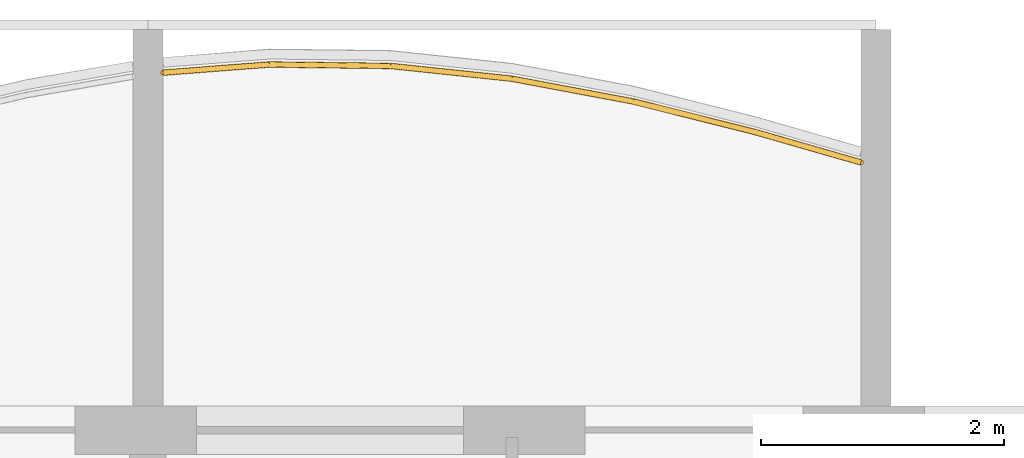
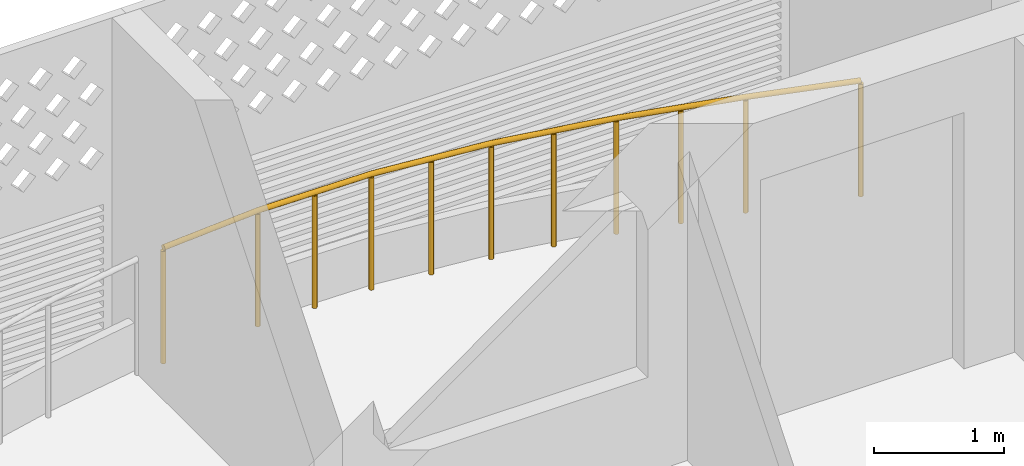
# One storey, part 19 of 26: 1 railing.
"""IFC4 building model written with IfcOpenShell, lengths in metres."""

from ifc_helpers import new_model, si_unit, direction, frame, origin, origin_2d, place, context, subcontext, project, spatial, circle, extrude, material, type_object, element, save


model = new_model("IFC4")

# Units and contexts
model_context = context("Model", 3, precision=1e-05, world=origin(), true_north=direction((0.0, 1.0)))
body_context = subcontext(model_context, "Body", "Model", "MODEL_VIEW")
ifc_project = project(units=[si_unit("LENGTHUNIT", "METRE"), si_unit("AREAUNIT", "SQUARE_METRE"), si_unit("VOLUMEUNIT", "CUBIC_METRE"), si_unit("PLANEANGLEUNIT", "RADIAN"), si_unit("MASSUNIT", "GRAM", prefix="KILO")], contexts=[model_context])

# Site, building, storey
site_placement = place(None, origin())
site = spatial("IfcSite", under=ifc_project, at=site_placement, CompositionType="ELEMENT")
building_placement = place(site_placement, origin())
building = spatial("IfcBuilding", under=site, at=building_placement, Name="Poui Terraces", CompositionType="ELEMENT")
storey_placement = place(building_placement, frame((0.0, 0.0, 162.0)))
storey = spatial("IfcBuildingStorey", under=building, at=storey_placement, Name="L45", CompositionType="ELEMENT", Elevation=162.0)

# Railing
ifc_material = material(Name="Painted steel fretwork", Category="steel")
railing_type = type_object("IfcRailingType", Name="BALCONY GUARD 1100", PredefinedType="GUARDRAIL", material=ifc_material)
railing_placement = place(storey_placement, frame((36.125, 45.345947265625, 0.0)))
element("IfcRailing", 1, at=railing_placement, inside=storey, type_object=railing_type, Name="BALCONY GUARD", PredefinedType="GUARDRAIL", context=body_context, shape_type="SweptSolid", body=[
    extrude(circle(Radius=0.02392578125, at=origin_2d()), frame((0.0, 0.0, 1.076171875), z_axis=(0.997047936125, 0.076781593295, 0.0), x_axis=(-0.076781593295, 0.997047936125, 0.0)), (0.0, 0.0, 1.0), 0.877685546875),
    extrude(circle(Radius=0.02392578125, at=origin_2d()), frame((0.875, 0.0673828125, 1.076171875), z_axis=(0.999928452303, -0.011962034708, 0.0), x_axis=(0.011962034708, 0.999928452303, 0.0)), (0.0, 0.0, 1.0), 1.0),
    extrude(circle(Radius=0.02392578125, at=origin_2d()), frame((1.875, 0.055419921875, 1.076171875), z_axis=(0.994509443434, -0.104646867705, 0.0), x_axis=(0.104646867705, 0.994509443434, 0.0)), (0.0, 0.0, 1.0), 1.005615234375),
    extrude(circle(Radius=0.02392578125, at=origin_2d()), frame((2.875, -0.0498046875, 1.076171875), z_axis=(0.982828697247, -0.184520329146, 0.0), x_axis=(0.184520329146, 0.982828697247, 0.0)), (0.0, 0.0, 1.0), 1.017578125),
    extrude(circle(Radius=0.02392578125, at=origin_2d()), frame((3.875, -0.237548828125, 1.076171875), z_axis=(0.969975109493, -0.243204208362, 0.0), x_axis=(0.243204208362, 0.969975109493, 0.0)), (0.0, 0.0, 1.0), 1.031005859375),
    extrude(circle(Radius=0.02392578125, at=origin_2d()), frame((4.875, -0.48828125, 1.076171875), z_axis=(0.961168944086, -0.275960614806, 0.0), x_axis=(0.275960614806, 0.961168944086, 0.0)), (0.0, 0.0, 1.0), 0.910400390625),
    extrude(circle(Radius=0.02099609375, at=origin_2d()), origin(), (0.0, 0.0, 1.0), 1.052001953125),
    extrude(circle(Radius=0.02099609375, at=origin_2d()), frame((0.875, 0.0673828125, 0.0)), (0.0, 0.0, 1.0), 1.052001953125),
    extrude(circle(Radius=0.02099609375, at=origin_2d()), frame((1.375, 0.0615234375, 0.0)), (0.0, 0.0, 1.0), 1.052001953125),
    extrude(circle(Radius=0.02099609375, at=origin_2d()), frame((1.875, 0.055419921875, 0.0)), (0.0, 0.0, 1.0), 1.052001953125),
    extrude(circle(Radius=0.02099609375, at=origin_2d()), frame((2.375, 0.0029296875, 0.0)), (0.0, 0.0, 1.0), 1.052001953125),
    extrude(circle(Radius=0.02099609375, at=origin_2d()), frame((2.875, -0.0498046875, 0.0)), (0.0, 0.0, 1.0), 1.052001953125),
    extrude(circle(Radius=0.02099609375, at=origin_2d()), frame((3.375, -0.1435546875, 0.0)), (0.0, 0.0, 1.0), 1.052001953125),
    extrude(circle(Radius=0.02099609375, at=origin_2d()), frame((3.875, -0.237548828125, 0.0)), (0.0, 0.0, 1.0), 1.052001953125),
    extrude(circle(Radius=0.02099609375, at=origin_2d()), frame((4.375, -0.36279296875, 0.0)), (0.0, 0.0, 1.0), 1.052001953125),
    extrude(circle(Radius=0.02099609375, at=origin_2d()), frame((4.875, -0.48828125, 0.0)), (0.0, 0.0, 1.0), 1.052001953125),
    extrude(circle(Radius=0.02099609375, at=origin_2d()), frame((5.75, -0.739501953125, 0.0)), (0.0, 0.0, 1.0), 1.052001953125),
])

save(model, "model.ifc")
